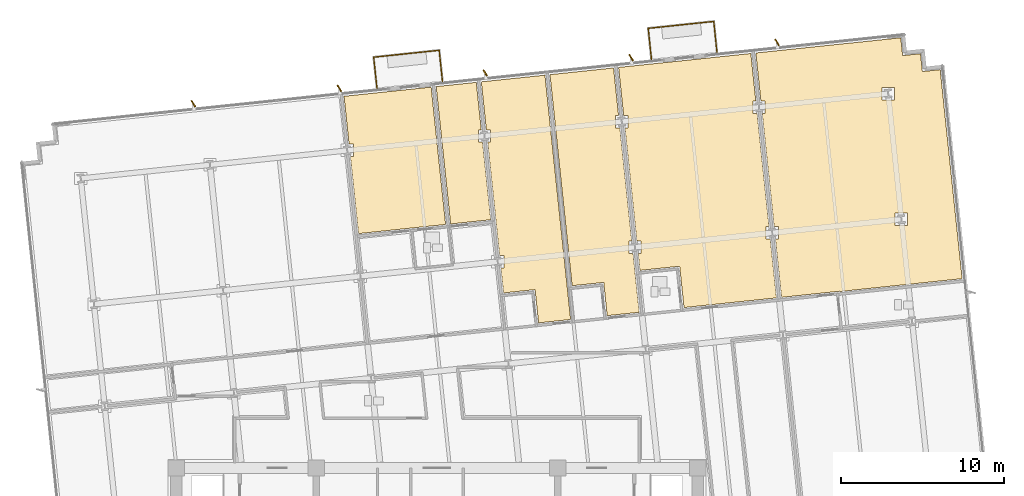
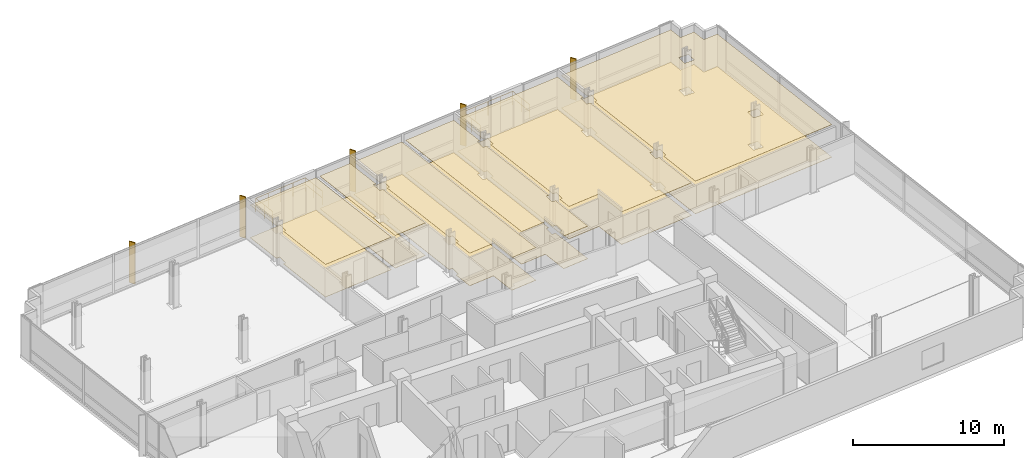
# One storey, part 16 of 17: 12 coverings, 6 railings, 5 shading devices.
"""IFC4 building model written with IfcOpenShell, lengths in metres."""

from ifc_helpers import new_model, si_unit, direction, frame, origin, origin_2d, place, context, subcontext, project, spatial, polyline, rectangle, circle, outline, extrude, material, layer, layer_set, type_object, element, save


model = new_model("IFC4")

# Units and contexts
model_context = context("Model", 3, precision=1e-05, world=origin(), true_north=direction((0.0, 1.0)))
body_context = subcontext(model_context, "Body", "Model", "MODEL_VIEW")
ifc_project = project(units=[si_unit("LENGTHUNIT", "METRE"), si_unit("AREAUNIT", "SQUARE_METRE"), si_unit("VOLUMEUNIT", "CUBIC_METRE"), si_unit("PLANEANGLEUNIT", "RADIAN"), si_unit("MASSUNIT", "GRAM", prefix="KILO")], contexts=[model_context])

# Site, building, storey
site_placement = place(None, origin())
site = spatial("IfcSite", under=ifc_project, at=site_placement, CompositionType="ELEMENT")
building_placement = place(site_placement, origin())
building = spatial("IfcBuilding", under=site, at=building_placement, Name="Solmavex Isthmus Hotel", CompositionType="ELEMENT")
storey_placement = place(building_placement, frame((0.0, 0.0, 90.449951171875)))
storey = spatial("IfcBuildingStorey", under=building, at=storey_placement, Name="L24", CompositionType="ELEMENT", Elevation=90.449951171875)

# Coverings
ifc_material_1 = material(Name="Gypsum plasterboard lining", Category="gypsum")
ifc_layer_1 = layer(ifc_material_1, 0.030029296875)
ifc_layer_set_1 = layer_set([ifc_layer_1], Name="Gypsum plasterboard lining")
covering_type_1 = type_object("IfcCoveringType", Name="COV-CEIL-GYP", PredefinedType="CEILING", material=ifc_layer_set_1)
covering_1_placement = place(storey_placement, frame((0.0, 0.0, 2.6201171875)))
element("IfcCovering", 1, at=covering_1_placement, inside=storey, type_object=covering_type_1, Name="Suspended Acoustic Ceiling L24-TB02", PredefinedType="CEILING", context=body_context, shape_type="SweptSolid", body=[
    extrude(outline(polyline([(-5.391845703125, 17.356689453125), (-5.127685546875, 17.356689453125), (-5.127685546875, 16.5966796875), (-5.31201171875, 16.5966796875), (-4.815673828125, 11.8740234375), (0.528076171875, 12.435546875), (-0.357666015625, 20.861328125), (-5.701171875, 20.299560546875), (-5.391845703125, 17.356689453125)])), origin(), (0.0, 0.0, 1.0), 0.030029296875),
])
covering_2_placement = place(storey_placement, frame((0.0, 0.0, 2.6201171875)))
element("IfcCovering", 2, at=covering_2_placement, inside=storey, type_object=covering_type_1, Name="Suspended Acoustic Ceiling L24-TL02", PredefinedType="CEILING", context=body_context, shape_type="SweptSolid", body=[
    extrude(outline(polyline([(2.7958984375, 17.4814453125), (2.53173828125, 17.4814453125), (2.53173828125, 18.241455078125), (2.716064453125, 18.241455078125), (2.41015625, 21.152099609375), (-0.04931640625, 20.8935546875), (0.836181640625, 12.468017578125), (3.295654296875, 12.7265625), (2.7958984375, 17.4814453125)])), origin(), (0.0, 0.0, 1.0), 0.030029296875),
])
covering_3_placement = place(storey_placement, frame((0.0, 0.0, 2.6201171875)))
element("IfcCovering", 3, at=covering_3_placement, inside=storey, type_object=covering_type_1, Name="Suspended Acoustic Ceiling L24-RM03", PredefinedType="CEILING", context=body_context, shape_type="SweptSolid", body=[
    extrude(outline(polyline([(3.838134765625, 10.531982421875), (4.10205078125, 10.531982421875), (4.10205078125, 9.77197265625), (3.91796875, 9.77197265625), (4.079345703125, 8.23583984375), (6.015869140625, 8.439453125), (6.230224609375, 6.400634765625), (8.1953125, 6.607177734375), (6.619873046875, 21.594482421875), (2.718505859375, 21.1845703125), (3.02783203125, 18.241455078125), (3.291748046875, 18.241455078125), (3.291748046875, 17.4814453125), (3.107666015625, 17.4814453125), (3.838134765625, 10.531982421875)])), origin(), (0.0, 0.0, 1.0), 0.030029296875),
])
covering_4_placement = place(storey_placement, frame((0.0, 0.0, 2.6201171875)))
element("IfcCovering", 4, at=covering_4_placement, inside=storey, type_object=covering_type_1, Name="Suspended Acoustic Ceiling L24-RM04", PredefinedType="CEILING", context=body_context, shape_type="SweptSolid", body=[
    extrude(outline(polyline([(11.215576171875, 18.366455078125), (10.951416015625, 18.366455078125), (10.951416015625, 19.12646484375), (11.1357421875, 19.12646484375), (10.829833984375, 22.037109375), (6.92822265625, 21.626953125), (8.289306640625, 8.67822265625), (10.225830078125, 8.8818359375), (10.43994140625, 6.843017578125), (12.405029296875, 7.049560546875), (12.02587890625, 10.656982421875), (11.76171875, 10.656982421875), (11.76171875, 11.4169921875), (11.946044921875, 11.4169921875), (11.215576171875, 18.366455078125)])), origin(), (0.0, 0.0, 1.0), 0.030029296875),
])
covering_5_placement = place(storey_placement, frame((0.0, 0.0, 2.6201171875)))
element("IfcCovering", 5, at=covering_5_placement, inside=storey, type_object=covering_type_1, Name="Suspended Acoustic Ceiling L24-RM05", PredefinedType="CEILING", context=body_context, shape_type="SweptSolid", body=[
    extrude(outline(polyline([(12.2578125, 11.4169921875), (12.521728515625, 11.4169921875), (12.521728515625, 10.656982421875), (12.337646484375, 10.656982421875), (12.44677734375, 9.617919921875), (14.88330078125, 9.8740234375), (15.14990234375, 7.338134765625), (15.69482421875, 7.395263671875), (17.917724609375, 7.62890625), (20.82470703125, 7.9345703125), (20.445556640625, 11.541748046875), (20.181396484375, 11.541748046875), (20.181396484375, 12.3017578125), (20.36572265625, 12.3017578125), (19.63525390625, 19.25146484375), (19.37109375, 19.25146484375), (19.37109375, 20.011474609375), (19.555419921875, 20.011474609375), (19.24951171875, 22.921875), (11.13818359375, 22.0693359375), (11.447509765625, 19.12646484375), (11.71142578125, 19.12646484375), (11.71142578125, 18.366455078125), (11.52734375, 18.366455078125), (12.2578125, 11.4169921875)])), origin(), (0.0, 0.0, 1.0), 0.030029296875),
])
covering_6_placement = place(storey_placement, frame((0.0, 0.0, 2.6201171875)))
element("IfcCovering", 6, at=covering_6_placement, inside=storey, type_object=covering_type_1, Name="Suspended Acoustic Ceiling L24-RM06", PredefinedType="CEILING", context=body_context, shape_type="SweptSolid", body=[
    extrude(outline(polyline([(20.67724609375, 12.3017578125), (20.94140625, 12.3017578125), (20.94140625, 11.541748046875), (20.75732421875, 11.541748046875), (21.133056640625, 7.967041015625), (24.713134765625, 8.34326171875), (24.71533203125, 8.3232421875), (32.2119140625, 9.111328125), (30.950927734375, 21.110107421875), (30.86474609375, 21.9306640625), (29.770751953125, 21.815673828125), (29.65576171875, 22.90966796875), (28.561767578125, 22.794677734375), (28.44677734375, 23.888671875), (27.626220703125, 23.802490234375), (19.5576171875, 22.954345703125), (19.866943359375, 20.011474609375), (20.131103515625, 20.011474609375), (20.131103515625, 19.25146484375), (19.947021484375, 19.25146484375), (20.67724609375, 12.3017578125)]), holes=[polyline([(28.105712890625, 12.374755859375), (28.105712890625, 13.134765625), (28.86572265625, 13.134765625), (28.86572265625, 12.374755859375), (28.105712890625, 12.374755859375)]), polyline([(27.29541015625, 20.84423828125), (28.055419921875, 20.84423828125), (28.055419921875, 20.084228515625), (27.29541015625, 20.084228515625), (27.29541015625, 20.84423828125)])]), origin(), (0.0, 0.0, 1.0), 0.030029296875),
])
ifc_material_2 = material(Name="Travertine natural stone", Category="masonry")
ifc_layer_2 = layer(ifc_material_2, 0.02490234375)
ifc_layer_set_2 = layer_set([ifc_layer_2], Name="Travertine natural stone")
covering_type_2 = type_object("IfcCoveringType", Name="COV-FLOR-STN", PredefinedType="FLOORING", material=ifc_layer_set_2)
covering_7_placement = place(storey_placement, origin())
element("IfcCovering", 7, at=covering_7_placement, inside=storey, type_object=covering_type_2, Name="Stone and Timber Floor Finish L24-TB02", PredefinedType="FLOORING", context=body_context, shape_type="SweptSolid", body=[
    extrude(outline(polyline([(-5.391845703125, 17.356689453125), (-5.127685546875, 17.356689453125), (-5.127685546875, 16.5966796875), (-5.31201171875, 16.5966796875), (-4.815673828125, 11.8740234375), (0.528076171875, 12.435546875), (-0.357666015625, 20.861328125), (-5.701171875, 20.299560546875), (-5.391845703125, 17.356689453125)])), origin(), (0.0, 0.0, 1.0), 0.025146484375),
])
covering_8_placement = place(storey_placement, origin())
element("IfcCovering", 8, at=covering_8_placement, inside=storey, type_object=covering_type_2, Name="Stone and Timber Floor Finish L24-TL02", PredefinedType="FLOORING", context=body_context, shape_type="SweptSolid", body=[
    extrude(outline(polyline([(2.7958984375, 17.4814453125), (2.53173828125, 17.4814453125), (2.53173828125, 18.241455078125), (2.716064453125, 18.241455078125), (2.41015625, 21.152099609375), (-0.04931640625, 20.8935546875), (0.836181640625, 12.468017578125), (3.295654296875, 12.7265625), (2.7958984375, 17.4814453125)])), origin(), (0.0, 0.0, 1.0), 0.025146484375),
])
covering_9_placement = place(storey_placement, origin())
element("IfcCovering", 9, at=covering_9_placement, inside=storey, type_object=covering_type_2, Name="Stone and Timber Floor Finish L24-RM03", PredefinedType="FLOORING", context=body_context, shape_type="SweptSolid", body=[
    extrude(outline(polyline([(3.838134765625, 10.531982421875), (4.10205078125, 10.531982421875), (4.10205078125, 9.77197265625), (3.91796875, 9.77197265625), (4.079345703125, 8.23583984375), (6.015869140625, 8.439453125), (6.230224609375, 6.400634765625), (8.1953125, 6.607177734375), (6.619873046875, 21.594482421875), (2.718505859375, 21.1845703125), (3.02783203125, 18.241455078125), (3.291748046875, 18.241455078125), (3.291748046875, 17.4814453125), (3.107666015625, 17.4814453125), (3.838134765625, 10.531982421875)])), origin(), (0.0, 0.0, 1.0), 0.025146484375),
])
covering_10_placement = place(storey_placement, origin())
element("IfcCovering", 10, at=covering_10_placement, inside=storey, type_object=covering_type_2, Name="Stone and Timber Floor Finish L24-RM04", PredefinedType="FLOORING", context=body_context, shape_type="SweptSolid", body=[
    extrude(outline(polyline([(11.215576171875, 18.366455078125), (10.951416015625, 18.366455078125), (10.951416015625, 19.12646484375), (11.1357421875, 19.12646484375), (10.829833984375, 22.037109375), (6.92822265625, 21.626953125), (8.289306640625, 8.67822265625), (10.225830078125, 8.8818359375), (10.43994140625, 6.843017578125), (12.405029296875, 7.049560546875), (12.02587890625, 10.656982421875), (11.76171875, 10.656982421875), (11.76171875, 11.4169921875), (11.946044921875, 11.4169921875), (11.215576171875, 18.366455078125)])), origin(), (0.0, 0.0, 1.0), 0.025146484375),
])
covering_11_placement = place(storey_placement, origin())
element("IfcCovering", 11, at=covering_11_placement, inside=storey, type_object=covering_type_2, Name="Stone and Timber Floor Finish L24-RM05", PredefinedType="FLOORING", context=body_context, shape_type="SweptSolid", body=[
    extrude(outline(polyline([(12.2578125, 11.4169921875), (12.521728515625, 11.4169921875), (12.521728515625, 10.656982421875), (12.337646484375, 10.656982421875), (12.44677734375, 9.617919921875), (14.88330078125, 9.8740234375), (15.14990234375, 7.338134765625), (15.69482421875, 7.395263671875), (17.917724609375, 7.62890625), (20.82470703125, 7.9345703125), (20.445556640625, 11.541748046875), (20.181396484375, 11.541748046875), (20.181396484375, 12.3017578125), (20.36572265625, 12.3017578125), (19.63525390625, 19.25146484375), (19.37109375, 19.25146484375), (19.37109375, 20.011474609375), (19.555419921875, 20.011474609375), (19.24951171875, 22.921875), (11.13818359375, 22.0693359375), (11.447509765625, 19.12646484375), (11.71142578125, 19.12646484375), (11.71142578125, 18.366455078125), (11.52734375, 18.366455078125), (12.2578125, 11.4169921875)])), origin(), (0.0, 0.0, 1.0), 0.025146484375),
])
covering_12_placement = place(storey_placement, origin())
element("IfcCovering", 12, at=covering_12_placement, inside=storey, type_object=covering_type_2, Name="Stone and Timber Floor Finish L24-RM06", PredefinedType="FLOORING", context=body_context, shape_type="SweptSolid", body=[
    extrude(outline(polyline([(20.67724609375, 12.3017578125), (20.94140625, 12.3017578125), (20.94140625, 11.541748046875), (20.75732421875, 11.541748046875), (21.133056640625, 7.967041015625), (24.713134765625, 8.34326171875), (24.71533203125, 8.3232421875), (32.2119140625, 9.111328125), (30.950927734375, 21.110107421875), (30.86474609375, 21.9306640625), (29.770751953125, 21.815673828125), (29.65576171875, 22.90966796875), (28.561767578125, 22.794677734375), (28.44677734375, 23.888671875), (27.626220703125, 23.802490234375), (19.5576171875, 22.954345703125), (19.866943359375, 20.011474609375), (20.131103515625, 20.011474609375), (20.131103515625, 19.25146484375), (19.947021484375, 19.25146484375), (20.67724609375, 12.3017578125)]), holes=[polyline([(28.105712890625, 12.374755859375), (28.105712890625, 13.134765625), (28.86572265625, 13.134765625), (28.86572265625, 12.374755859375), (28.105712890625, 12.374755859375)]), polyline([(27.29541015625, 20.84423828125), (28.055419921875, 20.84423828125), (28.055419921875, 20.084228515625), (27.29541015625, 20.084228515625), (27.29541015625, 20.84423828125)])]), origin(), (0.0, 0.0, 1.0), 0.025146484375),
])

# Railings
ifc_material_3 = material(Name="Clear low-E laminated glass", Category="glass")
ifc_layer_3 = layer(ifc_material_3, 0.070068359375)
ifc_layer_set_3 = layer_set([ifc_layer_3], Name="Clear low-E laminated glass")
railing_type = type_object("IfcRailingType", Name="RAIL-GUARD-1100", PredefinedType="BALUSTRADE", material=ifc_layer_set_3)
railing_1_placement = place(storey_placement, frame((-3.68310546875, 20.7880859375, 0.0)))
element("IfcRailing", 13, at=railing_1_placement, inside=storey, type_object=railing_type, Name="Guardrail Balustrade L24-BAL1-01", PredefinedType="BALUSTRADE", context=body_context, shape_type="SweptSolid", body=[
    extrude(circle(Radius=0.02392578125, at=origin_2d()), frame((0.0, 0.0, 1.09619140625), z_axis=(-0.104512702575, 0.994523551758, 0.0), x_axis=(-0.994523551758, -0.104512702575, 0.0)), (0.0, 0.0, 1.0), 1.920166015625),
    extrude(circle(Radius=0.02392578125, at=origin_2d()), frame((0.0, 0.0, 0.56005859375), z_axis=(-0.104512702575, 0.994523551758, 0.0), x_axis=(-0.994523551758, -0.104512702575, 0.0)), (0.0, 0.0, 1.0), 1.920166015625),
    extrude(circle(Radius=0.02099609375, at=origin_2d()), origin(), (0.0, 0.0, 1.0), 1.072021484375),
    extrude(circle(Radius=0.02099609375, at=origin_2d()), frame((-0.100341796875, 0.954833984375, 0.0)), (0.0, 0.0, 1.0), 1.072021484375),
    extrude(circle(Radius=0.02099609375, at=origin_2d()), frame((-0.20068359375, 1.90966796875, 0.0)), (0.0, 0.0, 1.0), 1.072021484375),
])
railing_2_placement = place(storey_placement, frame((-3.8837890625, 22.69775390625, 0.0)))
element("IfcRailing", 14, at=railing_2_placement, inside=storey, type_object=railing_type, Name="Guardrail Balustrade L24-BAL1-02", PredefinedType="BALUSTRADE", context=body_context, shape_type="SweptSolid", body=[
    extrude(circle(Radius=0.02392578125, at=origin_2d()), frame((0.0, 0.0, 1.09619140625), z_axis=(0.994526294567, 0.104486599216, 0.0), x_axis=(-0.104486599216, 0.994526294567, 0.0)), (0.0, 0.0, 1.0), 4.0400390625),
    extrude(circle(Radius=0.02392578125, at=origin_2d()), frame((0.0, 0.0, 0.56005859375), z_axis=(0.994526294567, 0.104486599216, 0.0), x_axis=(-0.104486599216, 0.994526294567, 0.0)), (0.0, 0.0, 1.0), 4.0400390625),
    extrude(circle(Radius=0.02099609375, at=origin_2d()), origin(), (0.0, 0.0, 1.0), 1.072021484375),
    extrude(circle(Radius=0.02099609375, at=origin_2d()), frame((1.00439453125, 0.10546875, 0.0)), (0.0, 0.0, 1.0), 1.072021484375),
    extrude(circle(Radius=0.02099609375, at=origin_2d()), frame((2.0087890625, 0.2109375, 0.0)), (0.0, 0.0, 1.0), 1.072021484375),
    extrude(circle(Radius=0.02099609375, at=origin_2d()), frame((3.013427734375, 0.316650390625, 0.0)), (0.0, 0.0, 1.0), 1.072021484375),
    extrude(circle(Radius=0.02099609375, at=origin_2d()), frame((4.017822265625, 0.422119140625, 0.0)), (0.0, 0.0, 1.0), 1.072021484375),
])
railing_3_placement = place(storey_placement, frame((0.134033203125, 23.119873046875, 0.0)))
element("IfcRailing", 15, at=railing_3_placement, inside=storey, type_object=railing_type, Name="Guardrail Balustrade L24-BAL1-03", PredefinedType="BALUSTRADE", context=body_context, shape_type="SweptSolid", body=[
    extrude(circle(Radius=0.02392578125, at=origin_2d()), frame((0.0, 0.0, 1.09619140625), z_axis=(0.104525919671, -0.994522162708, 0.0), x_axis=(0.994522162708, 0.104525919671, 0.0)), (0.0, 0.0, 1.0), 1.919921875),
    extrude(circle(Radius=0.02392578125, at=origin_2d()), frame((0.0, 0.0, 0.56005859375), z_axis=(0.104525919671, -0.994522162708, 0.0), x_axis=(0.994522162708, 0.104525919671, 0.0)), (0.0, 0.0, 1.0), 1.919921875),
    extrude(circle(Radius=0.02099609375, at=origin_2d()), origin(), (0.0, 0.0, 1.0), 1.072021484375),
    extrude(circle(Radius=0.02099609375, at=origin_2d()), frame((0.100341796875, -0.95458984375, 0.0)), (0.0, 0.0, 1.0), 1.072021484375),
    extrude(circle(Radius=0.02099609375, at=origin_2d()), frame((0.20068359375, -1.909423828125, 0.0)), (0.0, 0.0, 1.0), 1.072021484375),
])
railing_4_placement = place(storey_placement, frame((13.156005859375, 22.55810546875, 0.0)))
element("IfcRailing", 16, at=railing_4_placement, inside=storey, type_object=railing_type, Name="Guardrail Balustrade L24-BAL2-01", PredefinedType="BALUSTRADE", context=body_context, shape_type="SweptSolid", body=[
    extrude(circle(Radius=0.02392578125, at=origin_2d()), frame((0.0, 0.0, 1.09619140625), z_axis=(-0.104525919671, 0.994522162708, 0.0), x_axis=(-0.994522162708, -0.104525919671, 0.0)), (0.0, 0.0, 1.0), 1.919921875),
    extrude(circle(Radius=0.02392578125, at=origin_2d()), frame((0.0, 0.0, 0.56005859375), z_axis=(-0.104525919671, 0.994522162708, 0.0), x_axis=(-0.994522162708, -0.104525919671, 0.0)), (0.0, 0.0, 1.0), 1.919921875),
    extrude(circle(Radius=0.02099609375, at=origin_2d()), origin(), (0.0, 0.0, 1.0), 1.072021484375),
    extrude(circle(Radius=0.02099609375, at=origin_2d()), frame((-0.100341796875, 0.95458984375, 0.0)), (0.0, 0.0, 1.0), 1.072021484375),
    extrude(circle(Radius=0.02099609375, at=origin_2d()), frame((-0.20068359375, 1.909423828125, 0.0)), (0.0, 0.0, 1.0), 1.072021484375),
])
railing_5_placement = place(storey_placement, frame((12.955322265625, 24.467529296875, 0.0)))
element("IfcRailing", 17, at=railing_5_placement, inside=storey, type_object=railing_type, Name="Guardrail Balustrade L24-BAL2-02", PredefinedType="BALUSTRADE", context=body_context, shape_type="SweptSolid", body=[
    extrude(circle(Radius=0.02392578125, at=origin_2d()), frame((0.0, 0.0, 1.09619140625), z_axis=(0.994520013058, 0.104546370699, 0.0), x_axis=(-0.104546370699, 0.994520013058, 0.0)), (0.0, 0.0, 1.0), 4.0400390625),
    extrude(circle(Radius=0.02392578125, at=origin_2d()), frame((0.0, 0.0, 0.56005859375), z_axis=(0.994520013058, 0.104546370699, 0.0), x_axis=(-0.104546370699, 0.994520013058, 0.0)), (0.0, 0.0, 1.0), 4.0400390625),
    extrude(circle(Radius=0.02099609375, at=origin_2d()), origin(), (0.0, 0.0, 1.0), 1.072021484375),
    extrude(circle(Radius=0.02099609375, at=origin_2d()), frame((1.00439453125, 0.10546875, 0.0)), (0.0, 0.0, 1.0), 1.072021484375),
    extrude(circle(Radius=0.02099609375, at=origin_2d()), frame((2.0087890625, 0.211181640625, 0.0)), (0.0, 0.0, 1.0), 1.072021484375),
    extrude(circle(Radius=0.02099609375, at=origin_2d()), frame((3.013427734375, 0.31689453125, 0.0)), (0.0, 0.0, 1.0), 1.072021484375),
    extrude(circle(Radius=0.02099609375, at=origin_2d()), frame((4.017822265625, 0.42236328125, 0.0)), (0.0, 0.0, 1.0), 1.072021484375),
])
railing_6_placement = place(storey_placement, frame((16.97314453125, 24.889892578125, 0.0)))
element("IfcRailing", 18, at=railing_6_placement, inside=storey, type_object=railing_type, Name="Guardrail Balustrade L24-BAL2-03", PredefinedType="BALUSTRADE", context=body_context, shape_type="SweptSolid", body=[
    extrude(circle(Radius=0.02392578125, at=origin_2d()), frame((0.0, 0.0, 1.09619140625), z_axis=(0.104525919671, -0.994522162708, 0.0), x_axis=(0.994522162708, 0.104525919671, 0.0)), (0.0, 0.0, 1.0), 1.919921875),
    extrude(circle(Radius=0.02392578125, at=origin_2d()), frame((0.0, 0.0, 0.56005859375), z_axis=(0.104525919671, -0.994522162708, 0.0), x_axis=(0.994522162708, 0.104525919671, 0.0)), (0.0, 0.0, 1.0), 1.919921875),
    extrude(circle(Radius=0.02099609375, at=origin_2d()), origin(), (0.0, 0.0, 1.0), 1.072021484375),
    extrude(circle(Radius=0.02099609375, at=origin_2d()), frame((0.100341796875, -0.95458984375, 0.0)), (0.0, 0.0, 1.0), 1.072021484375),
    extrude(circle(Radius=0.02099609375, at=origin_2d()), frame((0.20068359375, -1.909423828125, 0.0)), (0.0, 0.0, 1.0), 1.072021484375),
])

# Shading devices
ifc_material_4 = material(Name="Aluminium alloy 6063-T6", Category="aluminium")
shading_device_type = type_object("IfcShadingDeviceType", Name="SHD-FIN-BRONZE", PredefinedType="USERDEFINED", material=ifc_material_4)
for number, where, z_axis, x_axis, name in (
    (19, (-14.943359375, 19.845947265625, -0.139892578125), (0.0, 0.0, 1.0), (-0.529919264233, 0.848048096156, 0.0), "Anodised Aluminium Solar Fin L24-N1"),
    (20, (-5.99267578125, 20.786865234375, -0.139892578125), (0.0, 0.0, 1.0), (-0.529919264233, 0.848048096156, 0.0), "Anodised Aluminium Solar Fin L24-N2"),
    (21, (2.9580078125, 21.7275390625, -0.139892578125), (0.0, 0.0, 1.0), (-0.529919264233, 0.848048096156, 0.0), "Anodised Aluminium Solar Fin L24-N3"),
    (22, (11.90869140625, 22.668212890625, -0.139892578125), (0.0, 0.0, 1.0), (-0.529919264233, 0.848048096156, 0.0), "Anodised Aluminium Solar Fin L24-N4"),
    (23, (20.859375, 23.609130859375, -0.139892578125), (0.0, 0.0, 1.0), (-0.529919264233, 0.848048096156, 0.0), "Anodised Aluminium Solar Fin L24-N5"),
):
    element("IfcShadingDevice", number, at=place(storey_placement, frame(where, z_axis=z_axis, x_axis=x_axis)), inside=storey, type_object=shading_device_type, Name=name, ObjectType="SOLAR_FIN", PredefinedType="USERDEFINED", context=body_context, shape_type="SweptSolid", body=[
        extrude(rectangle(XDim=0.449951171875, YDim=0.080078125, at=origin_2d()), origin(), (0.0, 0.0, 1.0), 3.330078125),
    ])

save(model, "model.ifc")
